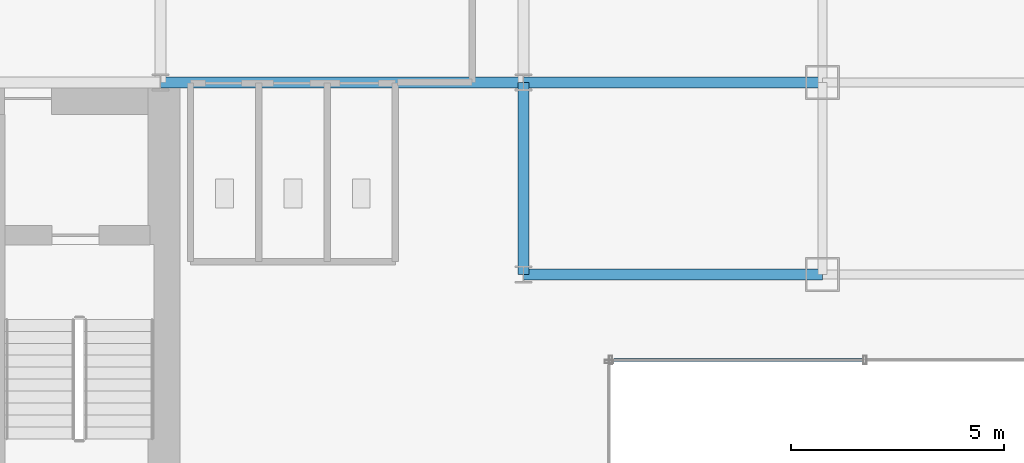
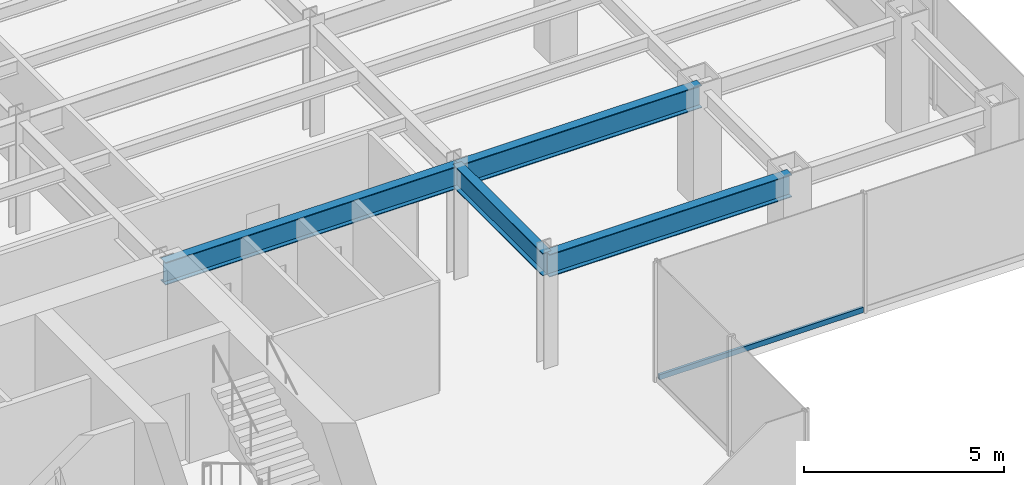
# One storey, part 9 of 26: 4 beams, 1 member, 1 element without a shape of its own.
"""IFC4 building model written with IfcOpenShell, lengths in metres."""

import ifcopenshell
import ifcopenshell.guid

model = None  # the IFC model being written
_history = None  # IfcOwnerHistory: only IFC2X3 demands one
_inside = {}  # id of a spatial element -> (the spatial element, [elements in it])
_under = {}  # id of a project, library or spatial element -> (it, [spatial elements below it])
_declared = {}  # id of a project -> (the project, [libraries it declares])
_typed = {}  # id of a type object -> (the type object, [elements of that type])
_made_of = {}  # id of a material, layer set ... -> (it, [elements and type objects made of it])


def new_model(schema):
    """Start an empty IFC model of exactly this schema.

    Asked for "IFC4X3", IfcOpenShell would pick the latest addendum, in which some entities
    have other attributes; the version numbers below select the first issue.
    IFC2X3 requires an IfcOwnerHistory on every rooted entity: one is made here for all.
    """
    global model, _history
    if schema == "IFC4X3":
        model = ifcopenshell.file(schema_version=(4, 3, 0, 0))
    else:
        model = ifcopenshell.file(schema=schema)
    _inside.clear()
    _under.clear()
    _declared.clear()
    _typed.clear()
    _made_of.clear()
    _history = None
    if model.schema == "IFC2X3":
        org = make("IfcOrganization", Name="unknown")
        user = make(
            "IfcPersonAndOrganization",
            ThePerson=make("IfcPerson", FamilyName="unknown"),
            TheOrganization=org,
        )
        app = make(
            "IfcApplication",
            ApplicationDeveloper=org,
            Version="unknown",
            ApplicationFullName="unknown",
            ApplicationIdentifier="unknown",
        )
        _history = make(
            "IfcOwnerHistory",
            OwningUser=user,
            OwningApplication=app,
            ChangeAction="ADDED",
            CreationDate=0,
        )
    return model


def make(cls, **values):
    """One entity of the class cls with the attributes given. An attribute that is None is left unset."""
    return model.create_entity(
        cls, **{name: value for name, value in values.items() if value is not None}
    )


def rooted(cls, **values):
    """An entity with a GlobalId (a new one), such as an element, a storey or a relation."""
    return make(cls, GlobalId=ifcopenshell.guid.new(), OwnerHistory=_history, **values)


def si_unit(unit_type, name, prefix=None):
    """IfcSIUnit, for example si_unit("LENGTHUNIT", "METRE", prefix="MILLI")."""
    return make("IfcSIUnit", UnitType=unit_type, Prefix=prefix, Name=name)


def derived_unit(unit_type, elements):
    """IfcDerivedUnit: a product of units, each with its exponent."""
    return make(
        "IfcDerivedUnit",
        Elements=[
            make("IfcDerivedUnitElement", Unit=unit, Exponent=power)
            for unit, power in elements
        ],
        UnitType=unit_type,
    )


def assignment(units):
    """IfcUnitAssignment: the units of a project."""
    return None if units is None else make("IfcUnitAssignment", Units=units)


def point(xyz):
    """IfcCartesianPoint."""
    return None if xyz is None else make("IfcCartesianPoint", Coordinates=xyz)


def direction(xyz):
    """IfcDirection."""
    return None if xyz is None else make("IfcDirection", DirectionRatios=xyz)


def frame(location, z_axis=None, x_axis=None):
    """IfcAxis2Placement3D, a coordinate frame: its origin and axes. An axis left out is left unset."""
    return make(
        "IfcAxis2Placement3D",
        Location=point(location),
        Axis=direction(z_axis),
        RefDirection=direction(x_axis),
    )


def frame_2d(location, x_axis=None):
    """IfcAxis2Placement2D, a coordinate frame in the plane: its origin and x axis."""
    return make(
        "IfcAxis2Placement2D", Location=point(location), RefDirection=direction(x_axis)
    )


def origin():
    """The frame at (0, 0, 0) with its axes left unset."""
    return frame((0.0, 0.0, 0.0))


def origin_2d():
    """The frame at (0, 0) in the plane with its x axis left unset."""
    return frame_2d((0.0, 0.0))


def place(relative_to, where):
    """IfcLocalPlacement: puts the frame where relative to a parent placement (None: the world)."""
    return make(
        "IfcLocalPlacement", PlacementRelTo=relative_to, RelativePlacement=where
    )


def context(
    kind, dimensions, precision=None, world=None, true_north=None, identifier=None
):
    """IfcGeometricRepresentationContext, for example the 3D "Model" context."""
    return make(
        "IfcGeometricRepresentationContext",
        ContextIdentifier=identifier,
        ContextType=kind,
        CoordinateSpaceDimension=dimensions,
        Precision=precision,
        WorldCoordinateSystem=world,
        TrueNorth=true_north,
    )


def subcontext(parent, identifier, kind, view, scale=None):
    """IfcGeometricRepresentationSubContext, for example "Body" below "Model"."""
    return make(
        "IfcGeometricRepresentationSubContext",
        ContextIdentifier=identifier,
        ContextType=kind,
        ParentContext=parent,
        TargetScale=scale,
        TargetView=view,
    )


def project(units=None, contexts=None):
    """IfcProject with its units and contexts."""
    return rooted(
        "IfcProject",
        Name="project",
        RepresentationContexts=contexts,
        UnitsInContext=assignment(units),
    )


def spatial(cls, under=None, at=None, **own):
    """A site, building, storey or space (cls), placed at a placement, below another one or the project."""
    s = rooted(cls, ObjectPlacement=at, **own)
    if under is not None:
        _under.setdefault(under.id(), (under, []))[1].append(s)
    return s


def profile(cls, at=None, kind="AREA", **sizes):
    """A parametric profile (cls). Its sizes go by their IFC names, for example OverallWidth=200.0."""
    return make(cls, ProfileType=kind, Position=at, **sizes)


def hollow_rectangle(**sizes):
    """IfcRectangleHollowProfileDef."""
    return profile("IfcRectangleHollowProfileDef", **sizes)


def i_section(**sizes):
    """IfcIShapeProfileDef."""
    return profile("IfcIShapeProfileDef", **sizes)


def extrude(swept, where, along, depth):
    """IfcExtrudedAreaSolid: the profile swept, set in the frame where, extruded along a direction by depth."""
    return make(
        "IfcExtrudedAreaSolid",
        SweptArea=swept,
        Position=where,
        ExtrudedDirection=direction(along),
        Depth=depth,
    )


def shape(context_of_items, identifier, shape_type, items):
    """IfcShapeRepresentation: the items that make up one representation, for example the "Body"."""
    return make(
        "IfcShapeRepresentation",
        ContextOfItems=context_of_items,
        RepresentationIdentifier=identifier,
        RepresentationType=shape_type,
        Items=items,
    )


def source(mapping_origin, context_of_items, identifier, shape_type, items):
    """IfcRepresentationMap: a shape defined once, which mapped items show again and again."""
    return make(
        "IfcRepresentationMap",
        MappingOrigin=mapping_origin,
        MappedRepresentation=shape(context_of_items, identifier, shape_type, items),
    )


def transform(
    local_origin,
    x_axis=None,
    y_axis=None,
    z_axis=None,
    scale=None,
    scale2=None,
    scale3=None,
    uniform=True,
):
    """IfcCartesianTransformationOperator3D, or its non-uniform kind. x_axis, y_axis, z_axis: its Axis1, 2, 3."""
    if uniform:
        return make(
            "IfcCartesianTransformationOperator3D",
            Axis1=direction(x_axis),
            Axis2=direction(y_axis),
            LocalOrigin=point(local_origin),
            Scale=scale,
            Axis3=direction(z_axis),
        )
    return make(
        "IfcCartesianTransformationOperator3DnonUniform",
        Axis1=direction(x_axis),
        Axis2=direction(y_axis),
        LocalOrigin=point(local_origin),
        Scale=scale,
        Axis3=direction(z_axis),
        Scale2=scale2,
        Scale3=scale3,
    )


def mapped(mapping_source, mapping_target):
    """IfcMappedItem: shows the shape of a source again, moved by a transform."""
    return make(
        "IfcMappedItem", MappingSource=mapping_source, MappingTarget=mapping_target
    )


def material(Name=None, Category=None):
    """IfcMaterial."""
    return make("IfcMaterial", Name=Name, Category=Category)


def material_profile(
    of_material, cross_section, Name=None, Category=None, Priority=None
):
    """IfcMaterialProfile: a cross section and its material."""
    return make(
        "IfcMaterialProfile",
        Name=Name,
        Material=of_material,
        Profile=cross_section,
        Priority=Priority,
        Category=Category,
    )


def profile_set(profiles, Name=None, composite=None):
    """IfcMaterialProfileSet."""
    return make(
        "IfcMaterialProfileSet",
        Name=Name,
        MaterialProfiles=profiles,
        CompositeProfile=composite,
    )


def made_of(thing, what):
    """Note that an element or type object is made of a material, layer set ...; save() writes the relation."""
    if what is not None:
        _made_of.setdefault(what.id(), (what, []))[1].append(thing)
    return thing


def type_object(cls, material=None, **own):
    """A type object (cls), such as IfcWallType, which elements share."""
    return made_of(rooted(cls, **own), material)


def element(
    cls,
    number,
    at=None,
    inside=None,
    cuts=None,
    type_object=None,
    material=None,
    context=None,
    identifier="Body",
    shape_type=None,
    held_by="IfcProductDefinitionShape",
    body=None,
    shapes=None,
    **own,
):
    """One element of the class cls, such as IfcWall. Its Tag is "e" and its number.

    at: its placement. inside: the storey or other place that contains it. cuts: it is an
    opening in that element (IfcRelVoidsElement). A single representation is given by context,
    identifier, shape_type and body (its items); several are given by shapes. held_by: the class
    of the entity that holds the representations. save() writes the other relations.
    """
    e = rooted(cls, Tag="e%d" % number, ObjectPlacement=at, **own)
    if body is not None:
        shapes = [shape(context, identifier, shape_type, body)]
    if shapes is not None:
        e.Representation = make(held_by, Representations=shapes)
    if inside is not None:
        _inside.setdefault(inside.id(), (inside, []))[1].append(e)
    if cuts is not None:
        rooted(
            "IfcRelVoidsElement", RelatingBuildingElement=cuts, RelatedOpeningElement=e
        )
    if type_object is not None:
        _typed.setdefault(type_object.id(), (type_object, []))[1].append(e)
    return made_of(e, material)


def aggregate(whole, parts):
    """IfcRelAggregates: a whole, such as a stair, and the parts it consists of."""
    return rooted("IfcRelAggregates", RelatingObject=whole, RelatedObjects=parts)


def save(model, path):
    """Write the relations noted so far, then the file.

    IfcRelAggregates (storeys below a building ...), IfcRelContainedInSpatialStructure (elements
    in a storey), IfcRelDefinesByType, IfcRelAssociatesMaterial and IfcRelDeclares: one each for
    every whole, place, type object, material and project.
    """
    for whole, parts in _under.values():
        aggregate(whole, parts)
    for where, things in _inside.values():
        rooted(
            "IfcRelContainedInSpatialStructure",
            RelatedElements=things,
            RelatingStructure=where,
        )
    for kind, things in _typed.values():
        rooted("IfcRelDefinesByType", RelatedObjects=things, RelatingType=kind)
    for what, things in _made_of.values():
        rooted("IfcRelAssociatesMaterial", RelatedObjects=things, RelatingMaterial=what)
    for by, libraries in _declared.values():
        rooted("IfcRelDeclares", RelatingContext=by, RelatedDefinitions=libraries)
    model.write(path)


model = new_model("IFC4")

# Units and contexts
model_context = context("Model", 3, precision=1e-05, world=origin(), true_north=direction((0.0, 1.0)))
body_context = subcontext(model_context, "Body", "Model", "MODEL_VIEW")
ifc_project = project(units=[si_unit("LENGTHUNIT", "METRE"), si_unit("AREAUNIT", "SQUARE_METRE"), si_unit("VOLUMEUNIT", "CUBIC_METRE"), si_unit("PLANEANGLEUNIT", "RADIAN"), si_unit("MASSUNIT", "GRAM", prefix="KILO"), derived_unit("THERMALTRANSMITTANCEUNIT", [(si_unit("POWERUNIT", "WATT"), 1), (si_unit("LENGTHUNIT", "METRE"), -2), (si_unit("THERMODYNAMICTEMPERATUREUNIT", "KELVIN"), -1)])], contexts=[model_context])

# Site, building, storey
site_placement = place(None, origin())
site = spatial("IfcSite", under=ifc_project, at=site_placement, CompositionType="ELEMENT")
building_placement = place(site_placement, origin())
building = spatial("IfcBuilding", under=site, at=building_placement, Name="Skarnbrae Concourse Arena and Tower", CompositionType="ELEMENT")
storey_placement = place(building_placement, frame((0.0, 0.0, 106.89990234375)))
storey = spatial("IfcBuildingStorey", under=building, at=storey_placement, Name="L26", CompositionType="ELEMENT", Elevation=106.89990234375)

# Beams
ifc_material_1 = material(Name="Steel CSA G40.21 350W", Category="steel")
ifc_material_profile_1 = material_profile(ifc_material_1, i_section(OverallWidth=0.256103515625, OverallDepth=0.693115234375, WebThickness=0.014404296875, FlangeThickness=0.023681640625, at=origin_2d()), Name="W690X170")
ifc_profile_set_1 = profile_set([ifc_material_profile_1], Name="Steel CSA G40.21 350W")
beam_type = type_object("IfcBeamType", Name="BM-GIRD-W690X170", PredefinedType="BEAM", material=ifc_profile_set_1)
shared_shape_1 = source(origin(), body_context, "Body", "SweptSolid", [
    extrude(i_section(OverallWidth=0.256103515625, OverallDepth=0.693115234375, WebThickness=0.014404296875, FlangeThickness=0.023681640625, at=origin_2d()), origin(), (0.0, 0.0, 1.0), 7.0),
])
for number, where, z_axis, x_axis, name in (
    (1, (42.0, 9.5, 3.0537109375), (1.0, 0.0, 0.0), (0.0, 1.0, 0.0), "L26 Primary E-W girder Y9.5-2"),
    (2, (42.0, 14.0, 3.0537109375), (1.0, 0.0, 0.0), (0.0, 1.0, 0.0), "L26 Primary E-W girder Y14.0-7"),
):
    element("IfcBeam", number, at=place(storey_placement, frame(where, z_axis=z_axis, x_axis=x_axis)), inside=storey, type_object=beam_type, Name=name, PredefinedType="BEAM", context=body_context, shape_type="MappedRepresentation", body=[
        mapped(shared_shape_1, transform((0.0, 0.0, 0.0))),
    ])
shared_shape_2 = source(origin(), body_context, "Body", "SweptSolid", [
    extrude(i_section(OverallWidth=0.256103515625, OverallDepth=0.693115234375, WebThickness=0.014404296875, FlangeThickness=0.023681640625, at=origin_2d()), origin(), (0.0, 0.0, 1.0), 8.5),
])
beam_1_placement = place(storey_placement, frame((33.5, 14.0, 3.0537109375), z_axis=(1.0, 0.0, 0.0), x_axis=(0.0, 1.0, 0.0)))
element("IfcBeam", 3, at=beam_1_placement, inside=storey, type_object=beam_type, Name="L26 Primary E-W girder Y14.0-6", PredefinedType="BEAM", context=body_context, shape_type="MappedRepresentation", body=[
    mapped(shared_shape_2, transform((0.0, 0.0, 0.0))),
])
shared_shape_3 = source(origin(), body_context, "Body", "SweptSolid", [
    extrude(i_section(OverallWidth=0.256103515625, OverallDepth=0.693115234375, WebThickness=0.014404296875, FlangeThickness=0.023681640625, at=origin_2d()), origin(), (0.0, 0.0, 1.0), 4.5),
])
beam_2_placement = place(storey_placement, frame((42.0, 9.5, 3.0537109375), z_axis=(0.0, 1.0, 0.0), x_axis=(-1.0, 0.0, 0.0)))
element("IfcBeam", 4, at=beam_2_placement, inside=storey, type_object=beam_type, Name="L26 Primary N-S girder X42.0-1", PredefinedType="BEAM", context=body_context, shape_type="MappedRepresentation", body=[
    mapped(shared_shape_3, transform((0.0, 0.0, 0.0))),
])

# Curtain wall, member
ifc_material_2 = material(Name="Bronze anodised aluminium 6063-T6", Category="aluminium")
curtain_wall_type = type_object("IfcCurtainWallType", Name="CW-SYS-04-MIDZONE", PredefinedType="USERDEFINED", material=ifc_material_2)
curtain_wall_placement = place(storey_placement, origin())
curtain_wall = element("IfcCurtainWall", 5, at=curtain_wall_placement, inside=storey, type_object=curtain_wall_type, Name="L26 Unitised curtain wall CW-L26-E03", ObjectType="UNITISED CURTAIN WALL", PredefinedType="USERDEFINED")
ifc_material_profile_2 = material_profile(ifc_material_2, hollow_rectangle(XDim=0.074951171875, YDim=0.159912109375, WallThickness=0.00439453125, at=origin_2d()), Name="ALU-TRAN-75X160")
ifc_profile_set_2 = profile_set([ifc_material_profile_2], Name="Bronze anodised aluminium 6063-T6")
member_type = type_object("IfcMemberType", Name="CWT-CW-04", PredefinedType="USERDEFINED", material=ifc_profile_set_2)
shared_shape_4 = source(origin(), body_context, "Body", "SweptSolid", [
    extrude(hollow_rectangle(XDim=0.074951171875, YDim=0.159912109375, WallThickness=0.00439453125, at=origin_2d()), origin(), (0.0, 0.0, 1.0), 5.887451171875),
])
member_placement = place(storey_placement, frame((44.074951171875, 7.5, 0.080078125), z_axis=(1.0, 0.0, 0.0), x_axis=(0.0, 1.0, 0.0)))
member = element("IfcMember", 6, at=member_placement, type_object=member_type, Name="CW-L26-E03 Transom 1", ObjectType="TRANSOM", PredefinedType="USERDEFINED", context=body_context, shape_type="MappedRepresentation", body=[
    mapped(shared_shape_4, transform((0.0, 0.0, 0.0))),
])
aggregate(curtain_wall, [member])

save(model, "model.ifc")
